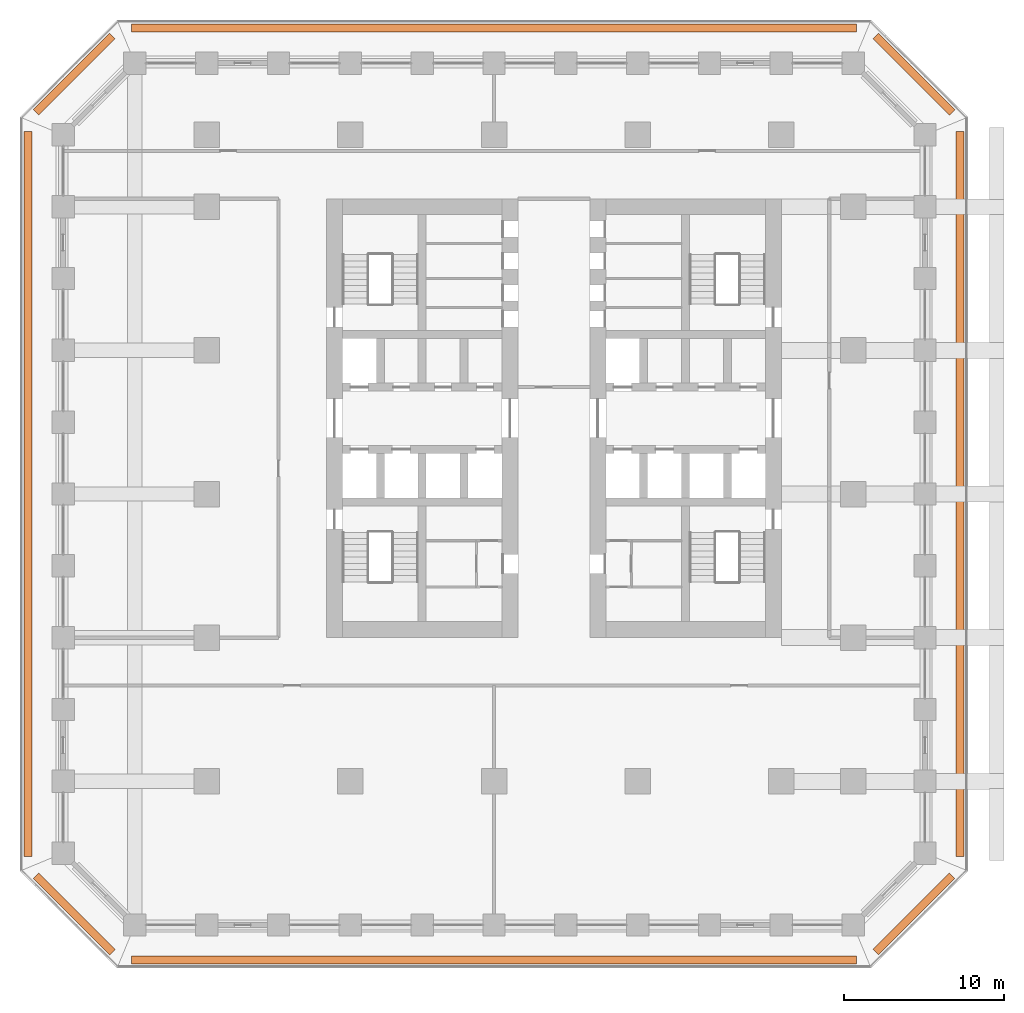
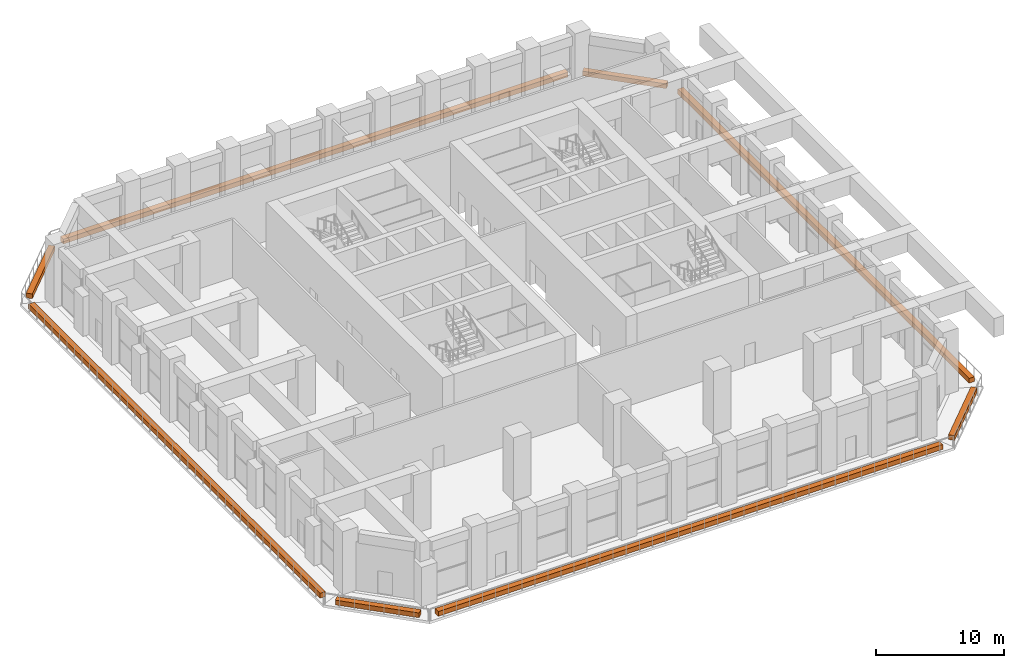
# One storey, part 21 of 21: 8 proxies.
"""IFC4 building model written with IfcOpenShell, lengths in metres."""

from ifc_helpers import new_model, si_unit, direction, frame, origin, origin_2d, place, context, subcontext, project, spatial, rectangle, extrude, material, type_object, element, save


model = new_model("IFC4")

# Units and contexts
model_context = context("Model", 3, precision=1e-05, world=origin(), true_north=direction((0.0, 1.0)))
body_context = subcontext(model_context, "Body", "Model", "MODEL_VIEW")
ifc_project = project(units=[si_unit("LENGTHUNIT", "METRE"), si_unit("AREAUNIT", "SQUARE_METRE"), si_unit("VOLUMEUNIT", "CUBIC_METRE"), si_unit("PLANEANGLEUNIT", "RADIAN"), si_unit("MASSUNIT", "GRAM", prefix="KILO")], contexts=[model_context])

# Site, building, storey
site_placement = place(None, origin())
site = spatial("IfcSite", under=ifc_project, at=site_placement, CompositionType="ELEMENT")
building_placement = place(site_placement, origin())
building = spatial("IfcBuilding", under=site, at=building_placement, Name="Corbel Stack Research Tower", CompositionType="ELEMENT")
storey_placement = place(building_placement, frame((0.0, 0.0, 35.89990234375)))
storey = spatial("IfcBuildingStorey", under=building, at=storey_placement, Name="L08", CompositionType="ELEMENT", Elevation=35.89990234375)

# Proxies
ifc_material = material(Name="Concrete C45/55", Category="concrete")
building_element_proxy_type = type_object("IfcBuildingElementProxyType", Name="Planter box", PredefinedType="USERDEFINED", material=ifc_material)
proxy_1_placement = place(storey_placement, frame((0.0, -29.199951171875, 0.0), z_axis=(0.0, 0.0, 1.0), x_axis=(1.0, 0.0, 0.0)))
element("IfcBuildingElementProxy", 1, at=proxy_1_placement, inside=storey, type_object=building_element_proxy_type, Name="Planter L08 S", ObjectType="PLANTER", PredefinedType="USERDEFINED", context=body_context, shape_type="SweptSolid", body=[
    extrude(rectangle(XDim=45.41064453125, YDim=0.5, at=origin_2d()), origin(), (0.0, 0.0, 1.0), 0.449951171875),
])
proxy_2_placement = place(storey_placement, frame((26.3056640625, -26.3056640625, 0.0), z_axis=(0.0, 0.0, 1.0), x_axis=(0.707106781187, 0.707106781187, 0.0)))
element("IfcBuildingElementProxy", 2, at=proxy_2_placement, inside=storey, type_object=building_element_proxy_type, Name="Planter L08 SE", ObjectType="PLANTER", PredefinedType="USERDEFINED", context=body_context, shape_type="SweptSolid", body=[
    extrude(rectangle(XDim=6.774658203125, YDim=0.5, at=origin_2d()), origin(), (0.0, 0.0, 1.0), 0.449951171875),
])
proxy_3_placement = place(storey_placement, frame((29.199951171875, 0.0, 0.0), z_axis=(0.0, 0.0, 1.0), x_axis=(0.0, 1.0, 0.0)))
element("IfcBuildingElementProxy", 3, at=proxy_3_placement, inside=storey, type_object=building_element_proxy_type, Name="Planter L08 E", ObjectType="PLANTER", PredefinedType="USERDEFINED", context=body_context, shape_type="SweptSolid", body=[
    extrude(rectangle(XDim=45.41064453125, YDim=0.5, at=origin_2d()), origin(), (0.0, 0.0, 1.0), 0.449951171875),
])
proxy_4_placement = place(storey_placement, frame((26.3056640625, 26.3056640625, 0.0), z_axis=(0.0, 0.0, 1.0), x_axis=(-0.707106781187, 0.707106781187, 0.0)))
element("IfcBuildingElementProxy", 4, at=proxy_4_placement, inside=storey, type_object=building_element_proxy_type, Name="Planter L08 NE", ObjectType="PLANTER", PredefinedType="USERDEFINED", context=body_context, shape_type="SweptSolid", body=[
    extrude(rectangle(XDim=6.774658203125, YDim=0.5, at=origin_2d()), origin(), (0.0, 0.0, 1.0), 0.449951171875),
])
proxy_5_placement = place(storey_placement, frame((0.0, 29.199951171875, 0.0), z_axis=(0.0, 0.0, 1.0), x_axis=(-1.0, 0.0, 0.0)))
element("IfcBuildingElementProxy", 5, at=proxy_5_placement, inside=storey, type_object=building_element_proxy_type, Name="Planter L08 N", ObjectType="PLANTER", PredefinedType="USERDEFINED", context=body_context, shape_type="SweptSolid", body=[
    extrude(rectangle(XDim=45.41064453125, YDim=0.5, at=origin_2d()), origin(), (0.0, 0.0, 1.0), 0.449951171875),
])
proxy_6_placement = place(storey_placement, frame((-26.3056640625, 26.3056640625, 0.0), z_axis=(0.0, 0.0, 1.0), x_axis=(-0.707106781187, -0.707106781187, 0.0)))
element("IfcBuildingElementProxy", 6, at=proxy_6_placement, inside=storey, type_object=building_element_proxy_type, Name="Planter L08 NW", ObjectType="PLANTER", PredefinedType="USERDEFINED", context=body_context, shape_type="SweptSolid", body=[
    extrude(rectangle(XDim=6.774658203125, YDim=0.5, at=origin_2d()), origin(), (0.0, 0.0, 1.0), 0.449951171875),
])
proxy_7_placement = place(storey_placement, frame((-29.199951171875, 0.0, 0.0), z_axis=(0.0, 0.0, 1.0), x_axis=(0.0, -1.0, 0.0)))
element("IfcBuildingElementProxy", 7, at=proxy_7_placement, inside=storey, type_object=building_element_proxy_type, Name="Planter L08 W", ObjectType="PLANTER", PredefinedType="USERDEFINED", context=body_context, shape_type="SweptSolid", body=[
    extrude(rectangle(XDim=45.41064453125, YDim=0.5, at=origin_2d()), origin(), (0.0, 0.0, 1.0), 0.449951171875),
])
proxy_8_placement = place(storey_placement, frame((-26.3056640625, -26.3056640625, 0.0), z_axis=(0.0, 0.0, 1.0), x_axis=(0.707106781187, -0.707106781187, 0.0)))
element("IfcBuildingElementProxy", 8, at=proxy_8_placement, inside=storey, type_object=building_element_proxy_type, Name="Planter L08 SW", ObjectType="PLANTER", PredefinedType="USERDEFINED", context=body_context, shape_type="SweptSolid", body=[
    extrude(rectangle(XDim=6.774658203125, YDim=0.5, at=origin_2d()), origin(), (0.0, 0.0, 1.0), 0.449951171875),
])

save(model, "model.ifc")
